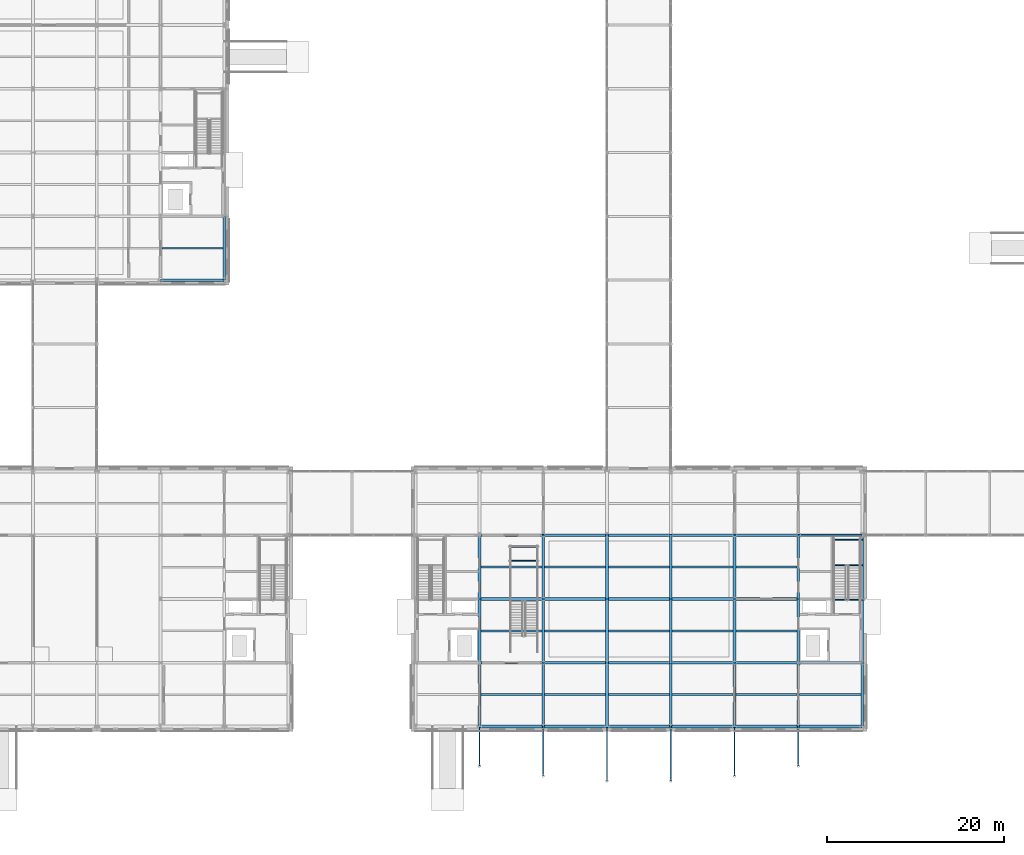
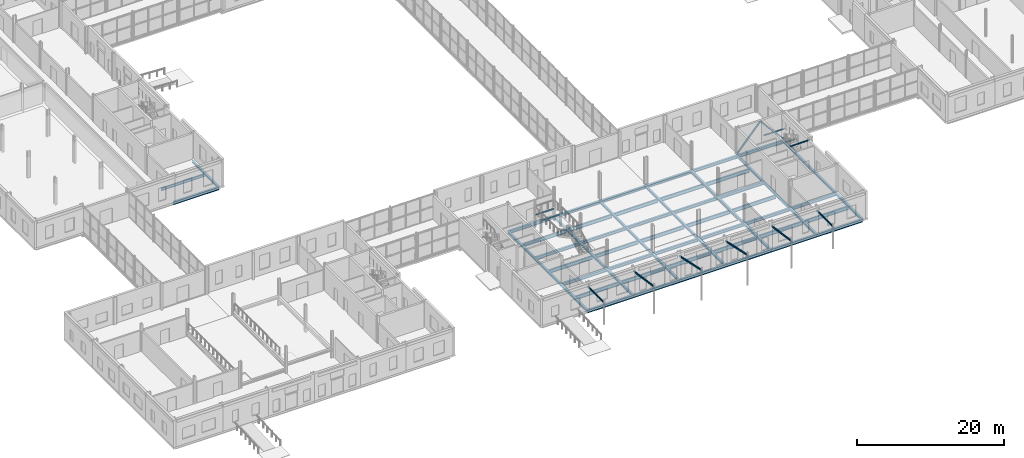
# One storey, part 26 of 92: 74 beams, 2 members.
"""IFC4 building model written with IfcOpenShell, lengths in metres."""

import ifcopenshell
import ifcopenshell.guid

model = None  # the IFC model being written
_history = None  # IfcOwnerHistory: only IFC2X3 demands one
_inside = {}  # id of a spatial element -> (the spatial element, [elements in it])
_under = {}  # id of a project, library or spatial element -> (it, [spatial elements below it])
_declared = {}  # id of a project -> (the project, [libraries it declares])
_typed = {}  # id of a type object -> (the type object, [elements of that type])
_made_of = {}  # id of a material, layer set ... -> (it, [elements and type objects made of it])


def new_model(schema):
    """Start an empty IFC model of exactly this schema.

    Asked for "IFC4X3", IfcOpenShell would pick the latest addendum, in which some entities
    have other attributes; the version numbers below select the first issue.
    IFC2X3 requires an IfcOwnerHistory on every rooted entity: one is made here for all.
    """
    global model, _history
    if schema == "IFC4X3":
        model = ifcopenshell.file(schema_version=(4, 3, 0, 0))
    else:
        model = ifcopenshell.file(schema=schema)
    _inside.clear()
    _under.clear()
    _declared.clear()
    _typed.clear()
    _made_of.clear()
    _history = None
    if model.schema == "IFC2X3":
        org = make("IfcOrganization", Name="unknown")
        user = make(
            "IfcPersonAndOrganization",
            ThePerson=make("IfcPerson", FamilyName="unknown"),
            TheOrganization=org,
        )
        app = make(
            "IfcApplication",
            ApplicationDeveloper=org,
            Version="unknown",
            ApplicationFullName="unknown",
            ApplicationIdentifier="unknown",
        )
        _history = make(
            "IfcOwnerHistory",
            OwningUser=user,
            OwningApplication=app,
            ChangeAction="ADDED",
            CreationDate=0,
        )
    return model


def make(cls, **values):
    """One entity of the class cls with the attributes given. An attribute that is None is left unset."""
    return model.create_entity(
        cls, **{name: value for name, value in values.items() if value is not None}
    )


def rooted(cls, **values):
    """An entity with a GlobalId (a new one), such as an element, a storey or a relation."""
    return make(cls, GlobalId=ifcopenshell.guid.new(), OwnerHistory=_history, **values)


def si_unit(unit_type, name, prefix=None):
    """IfcSIUnit, for example si_unit("LENGTHUNIT", "METRE", prefix="MILLI")."""
    return make("IfcSIUnit", UnitType=unit_type, Prefix=prefix, Name=name)


def assignment(units):
    """IfcUnitAssignment: the units of a project."""
    return None if units is None else make("IfcUnitAssignment", Units=units)


def point(xyz):
    """IfcCartesianPoint."""
    return None if xyz is None else make("IfcCartesianPoint", Coordinates=xyz)


def direction(xyz):
    """IfcDirection."""
    return None if xyz is None else make("IfcDirection", DirectionRatios=xyz)


def frame(location, z_axis=None, x_axis=None):
    """IfcAxis2Placement3D, a coordinate frame: its origin and axes. An axis left out is left unset."""
    return make(
        "IfcAxis2Placement3D",
        Location=point(location),
        Axis=direction(z_axis),
        RefDirection=direction(x_axis),
    )


def frame_2d(location, x_axis=None):
    """IfcAxis2Placement2D, a coordinate frame in the plane: its origin and x axis."""
    return make(
        "IfcAxis2Placement2D", Location=point(location), RefDirection=direction(x_axis)
    )


def origin():
    """The frame at (0, 0, 0) with its axes left unset."""
    return frame((0.0, 0.0, 0.0))


def origin_2d():
    """The frame at (0, 0) in the plane with its x axis left unset."""
    return frame_2d((0.0, 0.0))


def place(relative_to, where):
    """IfcLocalPlacement: puts the frame where relative to a parent placement (None: the world)."""
    return make(
        "IfcLocalPlacement", PlacementRelTo=relative_to, RelativePlacement=where
    )


def context(
    kind, dimensions, precision=None, world=None, true_north=None, identifier=None
):
    """IfcGeometricRepresentationContext, for example the 3D "Model" context."""
    return make(
        "IfcGeometricRepresentationContext",
        ContextIdentifier=identifier,
        ContextType=kind,
        CoordinateSpaceDimension=dimensions,
        Precision=precision,
        WorldCoordinateSystem=world,
        TrueNorth=true_north,
    )


def subcontext(parent, identifier, kind, view, scale=None):
    """IfcGeometricRepresentationSubContext, for example "Body" below "Model"."""
    return make(
        "IfcGeometricRepresentationSubContext",
        ContextIdentifier=identifier,
        ContextType=kind,
        ParentContext=parent,
        TargetScale=scale,
        TargetView=view,
    )


def project(units=None, contexts=None):
    """IfcProject with its units and contexts."""
    return rooted(
        "IfcProject",
        Name="project",
        RepresentationContexts=contexts,
        UnitsInContext=assignment(units),
    )


def spatial(cls, under=None, at=None, **own):
    """A site, building, storey or space (cls), placed at a placement, below another one or the project."""
    s = rooted(cls, ObjectPlacement=at, **own)
    if under is not None:
        _under.setdefault(under.id(), (under, []))[1].append(s)
    return s


def profile(cls, at=None, kind="AREA", **sizes):
    """A parametric profile (cls). Its sizes go by their IFC names, for example OverallWidth=200.0."""
    return make(cls, ProfileType=kind, Position=at, **sizes)


def hollow_rectangle(**sizes):
    """IfcRectangleHollowProfileDef."""
    return profile("IfcRectangleHollowProfileDef", **sizes)


def i_section(**sizes):
    """IfcIShapeProfileDef."""
    return profile("IfcIShapeProfileDef", **sizes)


def extrude(swept, where, along, depth):
    """IfcExtrudedAreaSolid: the profile swept, set in the frame where, extruded along a direction by depth."""
    return make(
        "IfcExtrudedAreaSolid",
        SweptArea=swept,
        Position=where,
        ExtrudedDirection=direction(along),
        Depth=depth,
    )


def shape(context_of_items, identifier, shape_type, items):
    """IfcShapeRepresentation: the items that make up one representation, for example the "Body"."""
    return make(
        "IfcShapeRepresentation",
        ContextOfItems=context_of_items,
        RepresentationIdentifier=identifier,
        RepresentationType=shape_type,
        Items=items,
    )


def material(Name=None, Category=None):
    """IfcMaterial."""
    return make("IfcMaterial", Name=Name, Category=Category)


def material_profile(
    of_material, cross_section, Name=None, Category=None, Priority=None
):
    """IfcMaterialProfile: a cross section and its material."""
    return make(
        "IfcMaterialProfile",
        Name=Name,
        Material=of_material,
        Profile=cross_section,
        Priority=Priority,
        Category=Category,
    )


def profile_set(profiles, Name=None, composite=None):
    """IfcMaterialProfileSet."""
    return make(
        "IfcMaterialProfileSet",
        Name=Name,
        MaterialProfiles=profiles,
        CompositeProfile=composite,
    )


def made_of(thing, what):
    """Note that an element or type object is made of a material, layer set ...; save() writes the relation."""
    if what is not None:
        _made_of.setdefault(what.id(), (what, []))[1].append(thing)
    return thing


def type_object(cls, material=None, **own):
    """A type object (cls), such as IfcWallType, which elements share."""
    return made_of(rooted(cls, **own), material)


def element(
    cls,
    number,
    at=None,
    inside=None,
    cuts=None,
    type_object=None,
    material=None,
    context=None,
    identifier="Body",
    shape_type=None,
    held_by="IfcProductDefinitionShape",
    body=None,
    shapes=None,
    **own,
):
    """One element of the class cls, such as IfcWall. Its Tag is "e" and its number.

    at: its placement. inside: the storey or other place that contains it. cuts: it is an
    opening in that element (IfcRelVoidsElement). A single representation is given by context,
    identifier, shape_type and body (its items); several are given by shapes. held_by: the class
    of the entity that holds the representations. save() writes the other relations.
    """
    e = rooted(cls, Tag="e%d" % number, ObjectPlacement=at, **own)
    if body is not None:
        shapes = [shape(context, identifier, shape_type, body)]
    if shapes is not None:
        e.Representation = make(held_by, Representations=shapes)
    if inside is not None:
        _inside.setdefault(inside.id(), (inside, []))[1].append(e)
    if cuts is not None:
        rooted(
            "IfcRelVoidsElement", RelatingBuildingElement=cuts, RelatedOpeningElement=e
        )
    if type_object is not None:
        _typed.setdefault(type_object.id(), (type_object, []))[1].append(e)
    return made_of(e, material)


def aggregate(whole, parts):
    """IfcRelAggregates: a whole, such as a stair, and the parts it consists of."""
    return rooted("IfcRelAggregates", RelatingObject=whole, RelatedObjects=parts)


def save(model, path):
    """Write the relations noted so far, then the file.

    IfcRelAggregates (storeys below a building ...), IfcRelContainedInSpatialStructure (elements
    in a storey), IfcRelDefinesByType, IfcRelAssociatesMaterial and IfcRelDeclares: one each for
    every whole, place, type object, material and project.
    """
    for whole, parts in _under.values():
        aggregate(whole, parts)
    for where, things in _inside.values():
        rooted(
            "IfcRelContainedInSpatialStructure",
            RelatedElements=things,
            RelatingStructure=where,
        )
    for kind, things in _typed.values():
        rooted("IfcRelDefinesByType", RelatedObjects=things, RelatingType=kind)
    for what, things in _made_of.values():
        rooted("IfcRelAssociatesMaterial", RelatedObjects=things, RelatingMaterial=what)
    for by, libraries in _declared.values():
        rooted("IfcRelDeclares", RelatingContext=by, RelatedDefinitions=libraries)
    model.write(path)


model = new_model("IFC4")

# Units and contexts
model_context = context("Model", 3, precision=1e-05, world=origin(), true_north=direction((0.0, 1.0)))
body_context = subcontext(model_context, "Body", "Model", "MODEL_VIEW")
ifc_project = project(units=[si_unit("LENGTHUNIT", "METRE"), si_unit("AREAUNIT", "SQUARE_METRE"), si_unit("VOLUMEUNIT", "CUBIC_METRE"), si_unit("PLANEANGLEUNIT", "RADIAN"), si_unit("MASSUNIT", "GRAM", prefix="KILO")], contexts=[model_context])

# Site, building, storey
site_placement = place(None, origin())
site = spatial("IfcSite", under=ifc_project, at=site_placement, CompositionType="ELEMENT")
building_placement = place(site_placement, origin())
building = spatial("IfcBuilding", under=site, at=building_placement, Name="Zlatovets Crest Museum", CompositionType="ELEMENT")
storey_placement = place(building_placement, origin())
storey = spatial("IfcBuildingStorey", under=building, at=storey_placement, Name="L00", CompositionType="ELEMENT", Elevation=0.0)

# Beams
ifc_material = material(Name="Structural steel S355J2", Category="steel")
ifc_material_profile_1 = material_profile(ifc_material, i_section(OverallWidth=0.300048828125, OverallDepth=0.489990234375, WebThickness=0.011962890625, FlangeThickness=0.02294921875, FilletRadius=0.027099609375, at=origin_2d()), Name="HEA 500")
ifc_profile_set_1 = profile_set([ifc_material_profile_1], Name="Structural steel S355J2")
beam_type_1 = type_object("IfcBeamType", Name="Beam_B-01", PredefinedType="BEAM", material=ifc_profile_set_1)
for number, where, z_axis, x_axis, name in (
    (1, (64.800048828125, 0.0, -0.4951171875), (1.0, 0.0, 0.0), (0.0, 1.0, 0.0), "V2 L00 Primary Girder B-01"),
    (2, (72.0, 0.0, -0.4951171875), (1.0, 0.0, 0.0), (0.0, 1.0, 0.0), "V2 L00 Primary Girder B-01"),
    (3, (79.199951171875, 0.0, -0.4951171875), (1.0, 0.0, 0.0), (0.0, 1.0, 0.0), "V2 L00 Primary Girder B-01"),
):
    element("IfcBeam", number, at=place(storey_placement, frame(where, z_axis=z_axis, x_axis=x_axis)), inside=storey, type_object=beam_type_1, Name=name, PredefinedType="BEAM", context=body_context, shape_type="SweptSolid", body=[
        extrude(i_section(OverallWidth=0.300048828125, OverallDepth=0.489990234375, WebThickness=0.011962890625, FlangeThickness=0.02294921875, FilletRadius=0.027099609375, at=origin_2d()), origin(), (0.0, 0.0, 1.0), 7.199951171875),
    ])
beam_1_placement = place(storey_placement, frame((86.39990234375, 0.0, -0.4951171875), z_axis=(1.0, 0.0, 0.0), x_axis=(0.0, 1.0, 0.0)))
element("IfcBeam", 4, at=beam_1_placement, inside=storey, type_object=beam_type_1, Name="V2 L00 Primary Girder B-01", PredefinedType="BEAM", context=body_context, shape_type="SweptSolid", body=[
    extrude(i_section(OverallWidth=0.300048828125, OverallDepth=0.489990234375, WebThickness=0.011962890625, FlangeThickness=0.02294921875, FilletRadius=0.027099609375, at=origin_2d()), origin(), (0.0, 0.0, 1.0), 7.2001953125),
])
for number, where, z_axis, x_axis, name in (
    (5, (93.60009765625, 0.0, -0.4951171875), (1.0, 0.0, 0.0), (0.0, 1.0, 0.0), "V2 L00 Primary Girder B-01"),
    (6, (100.800048828125, 0.0, -0.4951171875), (1.0, 0.0, 0.0), (0.0, 1.0, 0.0), "V2 L00 Primary Girder B-01"),
    (7, (64.800048828125, 7.199951171875, -0.4951171875), (1.0, 0.0, 0.0), (0.0, 1.0, 0.0), "V2 L00 Primary Girder B-01"),
    (8, (72.0, 7.199951171875, -0.4951171875), (1.0, 0.0, 0.0), (0.0, 1.0, 0.0), "V2 L00 Primary Girder B-01"),
    (9, (79.199951171875, 7.199951171875, -0.4951171875), (1.0, 0.0, 0.0), (0.0, 1.0, 0.0), "V2 L00 Primary Girder B-01"),
):
    element("IfcBeam", number, at=place(storey_placement, frame(where, z_axis=z_axis, x_axis=x_axis)), inside=storey, type_object=beam_type_1, Name=name, PredefinedType="BEAM", context=body_context, shape_type="SweptSolid", body=[
        extrude(i_section(OverallWidth=0.300048828125, OverallDepth=0.489990234375, WebThickness=0.011962890625, FlangeThickness=0.02294921875, FilletRadius=0.027099609375, at=origin_2d()), origin(), (0.0, 0.0, 1.0), 7.199951171875),
    ])
beam_2_placement = place(storey_placement, frame((86.39990234375, 7.199951171875, -0.4951171875), z_axis=(1.0, 0.0, 0.0), x_axis=(0.0, 1.0, 0.0)))
element("IfcBeam", 10, at=beam_2_placement, inside=storey, type_object=beam_type_1, Name="V2 L00 Primary Girder B-01", PredefinedType="BEAM", context=body_context, shape_type="SweptSolid", body=[
    extrude(i_section(OverallWidth=0.300048828125, OverallDepth=0.489990234375, WebThickness=0.011962890625, FlangeThickness=0.02294921875, FilletRadius=0.027099609375, at=origin_2d()), origin(), (0.0, 0.0, 1.0), 7.2001953125),
])
for number, where, z_axis, x_axis, name in (
    (11, (93.60009765625, 7.199951171875, -0.4951171875), (1.0, 0.0, 0.0), (0.0, 1.0, 0.0), "V2 L00 Primary Girder B-01"),
    (12, (100.800048828125, 7.199951171875, -0.4951171875), (1.0, 0.0, 0.0), (0.0, 1.0, 0.0), "V2 L00 Primary Girder B-01"),
    (13, (64.800048828125, 14.39990234375, -0.4951171875), (1.0, 0.0, 0.0), (0.0, 1.0, 0.0), "V2 L00 Primary Girder B-01"),
    (14, (72.0, 14.39990234375, -0.4951171875), (1.0, 0.0, 0.0), (0.0, 1.0, 0.0), "V2 L00 Primary Girder B-01"),
    (15, (79.199951171875, 14.39990234375, -0.4951171875), (1.0, 0.0, 0.0), (0.0, 1.0, 0.0), "V2 L00 Primary Girder B-01"),
):
    element("IfcBeam", number, at=place(storey_placement, frame(where, z_axis=z_axis, x_axis=x_axis)), inside=storey, type_object=beam_type_1, Name=name, PredefinedType="BEAM", context=body_context, shape_type="SweptSolid", body=[
        extrude(i_section(OverallWidth=0.300048828125, OverallDepth=0.489990234375, WebThickness=0.011962890625, FlangeThickness=0.02294921875, FilletRadius=0.027099609375, at=origin_2d()), origin(), (0.0, 0.0, 1.0), 7.199951171875),
    ])
beam_3_placement = place(storey_placement, frame((86.39990234375, 14.39990234375, -0.4951171875), z_axis=(1.0, 0.0, 0.0), x_axis=(0.0, 1.0, 0.0)))
element("IfcBeam", 16, at=beam_3_placement, inside=storey, type_object=beam_type_1, Name="V2 L00 Primary Girder B-01", PredefinedType="BEAM", context=body_context, shape_type="SweptSolid", body=[
    extrude(i_section(OverallWidth=0.300048828125, OverallDepth=0.489990234375, WebThickness=0.011962890625, FlangeThickness=0.02294921875, FilletRadius=0.027099609375, at=origin_2d()), origin(), (0.0, 0.0, 1.0), 7.2001953125),
])
for number, where, z_axis, x_axis, name in (
    (17, (93.60009765625, 14.39990234375, -0.4951171875), (1.0, 0.0, 0.0), (0.0, 1.0, 0.0), "V2 L00 Primary Girder B-01"),
    (18, (64.800048828125, 21.60009765625, -0.4951171875), (1.0, 0.0, 0.0), (0.0, 1.0, 0.0), "V2 L00 Primary Girder B-01"),
    (19, (72.0, 21.60009765625, -0.4951171875), (1.0, 0.0, 0.0), (0.0, 1.0, 0.0), "V2 L00 Primary Girder B-01"),
    (20, (79.199951171875, 21.60009765625, -0.4951171875), (1.0, 0.0, 0.0), (0.0, 1.0, 0.0), "V2 L00 Primary Girder B-01"),
):
    element("IfcBeam", number, at=place(storey_placement, frame(where, z_axis=z_axis, x_axis=x_axis)), inside=storey, type_object=beam_type_1, Name=name, PredefinedType="BEAM", context=body_context, shape_type="SweptSolid", body=[
        extrude(i_section(OverallWidth=0.300048828125, OverallDepth=0.489990234375, WebThickness=0.011962890625, FlangeThickness=0.02294921875, FilletRadius=0.027099609375, at=origin_2d()), origin(), (0.0, 0.0, 1.0), 7.199951171875),
    ])
beam_4_placement = place(storey_placement, frame((86.39990234375, 21.60009765625, -0.4951171875), z_axis=(1.0, 0.0, 0.0), x_axis=(0.0, 1.0, 0.0)))
element("IfcBeam", 21, at=beam_4_placement, inside=storey, type_object=beam_type_1, Name="V2 L00 Primary Girder B-01", PredefinedType="BEAM", context=body_context, shape_type="SweptSolid", body=[
    extrude(i_section(OverallWidth=0.300048828125, OverallDepth=0.489990234375, WebThickness=0.011962890625, FlangeThickness=0.02294921875, FilletRadius=0.027099609375, at=origin_2d()), origin(), (0.0, 0.0, 1.0), 7.2001953125),
])
for number, where, z_axis, x_axis, name in (
    (22, (93.60009765625, 21.60009765625, -0.4951171875), (1.0, 0.0, 0.0), (0.0, 1.0, 0.0), "V2 L00 Primary Girder B-01"),
    (23, (100.800048828125, 21.60009765625, -0.4951171875), (1.0, 0.0, 0.0), (0.0, 1.0, 0.0), "V2 L00 Primary Girder B-01"),
    (24, (28.800048828125, 50.39990234375, -0.4951171875), (1.0, 0.0, 0.0), (0.0, 1.0, 0.0), "V4 L00 Primary Girder B-01"),
):
    element("IfcBeam", number, at=place(storey_placement, frame(where, z_axis=z_axis, x_axis=x_axis)), inside=storey, type_object=beam_type_1, Name=name, PredefinedType="BEAM", context=body_context, shape_type="SweptSolid", body=[
        extrude(i_section(OverallWidth=0.300048828125, OverallDepth=0.489990234375, WebThickness=0.011962890625, FlangeThickness=0.02294921875, FilletRadius=0.027099609375, at=origin_2d()), origin(), (0.0, 0.0, 1.0), 7.199951171875),
    ])
ifc_material_profile_2 = material_profile(ifc_material, i_section(OverallWidth=0.300048828125, OverallDepth=0.35009765625, WebThickness=0.010009765625, FlangeThickness=0.017578125, FilletRadius=0.027099609375, at=origin_2d()), Name="HEA 360")
ifc_profile_set_2 = profile_set([ifc_material_profile_2], Name="Structural steel S355J2")
beam_type_2 = type_object("IfcBeamType", Name="Beam_B-03", PredefinedType="BEAM", material=ifc_profile_set_2)
for number, where, z_axis, x_axis, name in (
    (25, (64.800048828125, 0.0, -0.425048828125), (0.0, 1.0, 0.0), (-1.0, 0.0, 0.0), "V2 L00 Grid Beam B-03"),
    (26, (64.800048828125, 7.199951171875, -0.425048828125), (0.0, 1.0, 0.0), (-1.0, 0.0, 0.0), "V2 L00 Grid Beam B-03"),
):
    element("IfcBeam", number, at=place(storey_placement, frame(where, z_axis=z_axis, x_axis=x_axis)), inside=storey, type_object=beam_type_2, Name=name, PredefinedType="BEAM", context=body_context, shape_type="SweptSolid", body=[
        extrude(i_section(OverallWidth=0.300048828125, OverallDepth=0.35009765625, WebThickness=0.010009765625, FlangeThickness=0.017578125, FilletRadius=0.027099609375, at=origin_2d()), origin(), (0.0, 0.0, 1.0), 7.199951171875),
    ])
beam_5_placement = place(storey_placement, frame((64.800048828125, 14.39990234375, -0.425048828125), z_axis=(0.0, 1.0, 0.0), x_axis=(-1.0, 0.0, 0.0)))
element("IfcBeam", 27, at=beam_5_placement, inside=storey, type_object=beam_type_2, Name="V2 L00 Grid Beam B-03", PredefinedType="BEAM", context=body_context, shape_type="SweptSolid", body=[
    extrude(i_section(OverallWidth=0.300048828125, OverallDepth=0.35009765625, WebThickness=0.010009765625, FlangeThickness=0.017578125, FilletRadius=0.027099609375, at=origin_2d()), origin(), (0.0, 0.0, 1.0), 7.2001953125),
])
for number, where, z_axis, x_axis, name in (
    (28, (72.0, 0.0, -0.425048828125), (0.0, 1.0, 0.0), (-1.0, 0.0, 0.0), "V2 L00 Grid Beam B-03"),
    (29, (72.0, 7.199951171875, -0.425048828125), (0.0, 1.0, 0.0), (-1.0, 0.0, 0.0), "V2 L00 Grid Beam B-03"),
):
    element("IfcBeam", number, at=place(storey_placement, frame(where, z_axis=z_axis, x_axis=x_axis)), inside=storey, type_object=beam_type_2, Name=name, PredefinedType="BEAM", context=body_context, shape_type="SweptSolid", body=[
        extrude(i_section(OverallWidth=0.300048828125, OverallDepth=0.35009765625, WebThickness=0.010009765625, FlangeThickness=0.017578125, FilletRadius=0.027099609375, at=origin_2d()), origin(), (0.0, 0.0, 1.0), 7.199951171875),
    ])
beam_6_placement = place(storey_placement, frame((72.0, 14.39990234375, -0.425048828125), z_axis=(0.0, 1.0, 0.0), x_axis=(-1.0, 0.0, 0.0)))
element("IfcBeam", 30, at=beam_6_placement, inside=storey, type_object=beam_type_2, Name="V2 L00 Grid Beam B-03", PredefinedType="BEAM", context=body_context, shape_type="SweptSolid", body=[
    extrude(i_section(OverallWidth=0.300048828125, OverallDepth=0.35009765625, WebThickness=0.010009765625, FlangeThickness=0.017578125, FilletRadius=0.027099609375, at=origin_2d()), origin(), (0.0, 0.0, 1.0), 7.2001953125),
])
for number, where, z_axis, x_axis, name in (
    (31, (79.199951171875, 0.0, -0.425048828125), (0.0, 1.0, 0.0), (-1.0, 0.0, 0.0), "V2 L00 Grid Beam B-03"),
    (32, (79.199951171875, 7.199951171875, -0.425048828125), (0.0, 1.0, 0.0), (-1.0, 0.0, 0.0), "V2 L00 Grid Beam B-03"),
):
    element("IfcBeam", number, at=place(storey_placement, frame(where, z_axis=z_axis, x_axis=x_axis)), inside=storey, type_object=beam_type_2, Name=name, PredefinedType="BEAM", context=body_context, shape_type="SweptSolid", body=[
        extrude(i_section(OverallWidth=0.300048828125, OverallDepth=0.35009765625, WebThickness=0.010009765625, FlangeThickness=0.017578125, FilletRadius=0.027099609375, at=origin_2d()), origin(), (0.0, 0.0, 1.0), 7.199951171875),
    ])
beam_7_placement = place(storey_placement, frame((79.199951171875, 14.39990234375, -0.425048828125), z_axis=(0.0, 1.0, 0.0), x_axis=(-1.0, 0.0, 0.0)))
element("IfcBeam", 33, at=beam_7_placement, inside=storey, type_object=beam_type_2, Name="V2 L00 Grid Beam B-03", PredefinedType="BEAM", context=body_context, shape_type="SweptSolid", body=[
    extrude(i_section(OverallWidth=0.300048828125, OverallDepth=0.35009765625, WebThickness=0.010009765625, FlangeThickness=0.017578125, FilletRadius=0.027099609375, at=origin_2d()), origin(), (0.0, 0.0, 1.0), 7.2001953125),
])
for number, where, z_axis, x_axis, name in (
    (34, (86.39990234375, 0.0, -0.425048828125), (0.0, 1.0, 0.0), (-1.0, 0.0, 0.0), "V2 L00 Grid Beam B-03"),
    (35, (86.39990234375, 7.199951171875, -0.425048828125), (0.0, 1.0, 0.0), (-1.0, 0.0, 0.0), "V2 L00 Grid Beam B-03"),
):
    element("IfcBeam", number, at=place(storey_placement, frame(where, z_axis=z_axis, x_axis=x_axis)), inside=storey, type_object=beam_type_2, Name=name, PredefinedType="BEAM", context=body_context, shape_type="SweptSolid", body=[
        extrude(i_section(OverallWidth=0.300048828125, OverallDepth=0.35009765625, WebThickness=0.010009765625, FlangeThickness=0.017578125, FilletRadius=0.027099609375, at=origin_2d()), origin(), (0.0, 0.0, 1.0), 7.199951171875),
    ])
beam_8_placement = place(storey_placement, frame((86.39990234375, 14.39990234375, -0.425048828125), z_axis=(0.0, 1.0, 0.0), x_axis=(-1.0, 0.0, 0.0)))
element("IfcBeam", 36, at=beam_8_placement, inside=storey, type_object=beam_type_2, Name="V2 L00 Grid Beam B-03", PredefinedType="BEAM", context=body_context, shape_type="SweptSolid", body=[
    extrude(i_section(OverallWidth=0.300048828125, OverallDepth=0.35009765625, WebThickness=0.010009765625, FlangeThickness=0.017578125, FilletRadius=0.027099609375, at=origin_2d()), origin(), (0.0, 0.0, 1.0), 7.2001953125),
])
for number, where, z_axis, x_axis, name in (
    (37, (93.60009765625, 0.0, -0.425048828125), (0.0, 1.0, 0.0), (-1.0, 0.0, 0.0), "V2 L00 Grid Beam B-03"),
    (38, (93.60009765625, 7.199951171875, -0.425048828125), (0.0, 1.0, 0.0), (-1.0, 0.0, 0.0), "V2 L00 Grid Beam B-03"),
):
    element("IfcBeam", number, at=place(storey_placement, frame(where, z_axis=z_axis, x_axis=x_axis)), inside=storey, type_object=beam_type_2, Name=name, PredefinedType="BEAM", context=body_context, shape_type="SweptSolid", body=[
        extrude(i_section(OverallWidth=0.300048828125, OverallDepth=0.35009765625, WebThickness=0.010009765625, FlangeThickness=0.017578125, FilletRadius=0.027099609375, at=origin_2d()), origin(), (0.0, 0.0, 1.0), 7.199951171875),
    ])
beam_9_placement = place(storey_placement, frame((93.60009765625, 14.39990234375, -0.425048828125), z_axis=(0.0, 1.0, 0.0), x_axis=(-1.0, 0.0, 0.0)))
element("IfcBeam", 39, at=beam_9_placement, inside=storey, type_object=beam_type_2, Name="V2 L00 Grid Beam B-03", PredefinedType="BEAM", context=body_context, shape_type="SweptSolid", body=[
    extrude(i_section(OverallWidth=0.300048828125, OverallDepth=0.35009765625, WebThickness=0.010009765625, FlangeThickness=0.017578125, FilletRadius=0.027099609375, at=origin_2d()), origin(), (0.0, 0.0, 1.0), 7.2001953125),
])
for number, where, z_axis, x_axis, name in (
    (40, (100.800048828125, 0.0, -0.425048828125), (0.0, 1.0, 0.0), (-1.0, 0.0, 0.0), "V2 L00 Grid Beam B-03"),
    (41, (100.800048828125, 7.199951171875, -0.425048828125), (0.0, 1.0, 0.0), (-1.0, 0.0, 0.0), "V2 L00 Grid Beam B-03"),
):
    element("IfcBeam", number, at=place(storey_placement, frame(where, z_axis=z_axis, x_axis=x_axis)), inside=storey, type_object=beam_type_2, Name=name, PredefinedType="BEAM", context=body_context, shape_type="SweptSolid", body=[
        extrude(i_section(OverallWidth=0.300048828125, OverallDepth=0.35009765625, WebThickness=0.010009765625, FlangeThickness=0.017578125, FilletRadius=0.027099609375, at=origin_2d()), origin(), (0.0, 0.0, 1.0), 7.199951171875),
    ])
beam_10_placement = place(storey_placement, frame((100.800048828125, 14.39990234375, -0.425048828125), z_axis=(0.0, 1.0, 0.0), x_axis=(-1.0, 0.0, 0.0)))
element("IfcBeam", 42, at=beam_10_placement, inside=storey, type_object=beam_type_2, Name="V2 L00 Grid Beam B-03", PredefinedType="BEAM", context=body_context, shape_type="SweptSolid", body=[
    extrude(i_section(OverallWidth=0.300048828125, OverallDepth=0.35009765625, WebThickness=0.010009765625, FlangeThickness=0.017578125, FilletRadius=0.027099609375, at=origin_2d()), origin(), (0.0, 0.0, 1.0), 7.2001953125),
])
for number, where, z_axis, x_axis, name in (
    (43, (108.0, 0.0, -0.425048828125), (0.0, 1.0, 0.0), (-1.0, 0.0, 0.0), "V2 L00 Grid Beam B-03"),
    (44, (108.0, 7.199951171875, -0.425048828125), (0.0, 1.0, 0.0), (-1.0, 0.0, 0.0), "V2 L00 Grid Beam B-03"),
):
    element("IfcBeam", number, at=place(storey_placement, frame(where, z_axis=z_axis, x_axis=x_axis)), inside=storey, type_object=beam_type_2, Name=name, PredefinedType="BEAM", context=body_context, shape_type="SweptSolid", body=[
        extrude(i_section(OverallWidth=0.300048828125, OverallDepth=0.35009765625, WebThickness=0.010009765625, FlangeThickness=0.017578125, FilletRadius=0.027099609375, at=origin_2d()), origin(), (0.0, 0.0, 1.0), 7.199951171875),
    ])
for number, where, z_axis, x_axis, name in (
    (45, (108.0, 14.39990234375, -0.425048828125), (0.0, 1.0, 0.0), (-1.0, 0.0, 0.0), "V2 L00 Grid Beam B-03"),
    (46, (36.0, 50.39990234375, -0.425048828125), (0.0, 1.0, 0.0), (-1.0, 0.0, 0.0), "V4 L00 Grid Beam B-03"),
):
    element("IfcBeam", number, at=place(storey_placement, frame(where, z_axis=z_axis, x_axis=x_axis)), inside=storey, type_object=beam_type_2, Name=name, PredefinedType="BEAM", context=body_context, shape_type="SweptSolid", body=[
        extrude(i_section(OverallWidth=0.300048828125, OverallDepth=0.35009765625, WebThickness=0.010009765625, FlangeThickness=0.017578125, FilletRadius=0.027099609375, at=origin_2d()), origin(), (0.0, 0.0, 1.0), 7.2001953125),
    ])
ifc_material_profile_3 = material_profile(ifc_material, i_section(OverallWidth=0.135009765625, OverallDepth=0.27001953125, WebThickness=0.006591796875, FlangeThickness=0.01025390625, FilletRadius=0.014892578125, at=origin_2d()), Name="IPE 270")
ifc_profile_set_3 = profile_set([ifc_material_profile_3], Name="Structural steel S355J2")
beam_type_3 = type_object("IfcBeamType", Name="Beam_J-03", PredefinedType="JOIST", material=ifc_profile_set_3)
beam_11_placement = place(storey_placement, frame((64.800048828125, 0.0, 3.64990234375), z_axis=(0.0, -1.0, 0.0), x_axis=(1.0, 0.0, 0.0)))
element("IfcBeam", 47, at=beam_11_placement, inside=storey, type_object=beam_type_3, Name="Entrance Marquee Tie Outrigger", PredefinedType="JOIST", context=body_context, shape_type="SweptSolid", body=[
    extrude(i_section(OverallWidth=0.135009765625, OverallDepth=0.27001953125, WebThickness=0.006591796875, FlangeThickness=0.01025390625, FilletRadius=0.014892578125, at=origin_2d()), origin(), (0.0, 0.0, 1.0), 4.448486328125),
])
beam_12_placement = place(storey_placement, frame((72.0, 0.0, 3.64990234375), z_axis=(0.0, -0.989315329168, 0.145791561732), x_axis=(1.0, 0.0, 0.0)))
element("IfcBeam", 48, at=beam_12_placement, inside=storey, type_object=beam_type_3, Name="Entrance Marquee Tie Outrigger", PredefinedType="JOIST", context=body_context, shape_type="SweptSolid", body=[
    extrude(i_section(OverallWidth=0.135009765625, OverallDepth=0.27001953125, WebThickness=0.006591796875, FlangeThickness=0.01025390625, FilletRadius=0.014892578125, at=origin_2d()), origin(), (0.0, 0.0, 1.0), 5.64501953125),
])
for number, where, z_axis, x_axis, name in (
    (49, (79.199951171875, 0.0, 3.64990234375), (0.0, -0.977228302316, 0.212190586863), (1.0, 0.0, 0.0), "Entrance Marquee Tie Outrigger"),
    (50, (86.39990234375, 0.0, 3.64990234375), (0.0, -0.977228302316, 0.212190586863), (1.0, 0.0, 0.0), "Entrance Marquee Tie Outrigger"),
):
    element("IfcBeam", number, at=place(storey_placement, frame(where, z_axis=z_axis, x_axis=x_axis)), inside=storey, type_object=beam_type_3, Name=name, PredefinedType="JOIST", context=body_context, shape_type="SweptSolid", body=[
        extrude(i_section(OverallWidth=0.135009765625, OverallDepth=0.27001953125, WebThickness=0.006591796875, FlangeThickness=0.01025390625, FilletRadius=0.014892578125, at=origin_2d()), origin(), (0.0, 0.0, 1.0), 6.275146484375),
    ])
beam_13_placement = place(storey_placement, frame((93.60009765625, 0.0, 3.64990234375), z_axis=(0.0, -0.989315329168, 0.145791561732), x_axis=(1.0, 0.0, 0.0)))
element("IfcBeam", 51, at=beam_13_placement, inside=storey, type_object=beam_type_3, Name="Entrance Marquee Tie Outrigger", PredefinedType="JOIST", context=body_context, shape_type="SweptSolid", body=[
    extrude(i_section(OverallWidth=0.135009765625, OverallDepth=0.27001953125, WebThickness=0.006591796875, FlangeThickness=0.01025390625, FilletRadius=0.014892578125, at=origin_2d()), origin(), (0.0, 0.0, 1.0), 5.64501953125),
])
beam_14_placement = place(storey_placement, frame((100.800048828125, 0.0, 3.64990234375), z_axis=(0.0, -1.0, 0.0), x_axis=(1.0, 0.0, 0.0)))
element("IfcBeam", 52, at=beam_14_placement, inside=storey, type_object=beam_type_3, Name="Entrance Marquee Tie Outrigger", PredefinedType="JOIST", context=body_context, shape_type="SweptSolid", body=[
    extrude(i_section(OverallWidth=0.135009765625, OverallDepth=0.27001953125, WebThickness=0.006591796875, FlangeThickness=0.01025390625, FilletRadius=0.014892578125, at=origin_2d()), origin(), (0.0, 0.0, 1.0), 4.448486328125),
])
ifc_material_profile_4 = material_profile(ifc_material, i_section(OverallWidth=0.18994140625, OverallDepth=0.449951171875, WebThickness=0.009521484375, FlangeThickness=0.0146484375, FilletRadius=0.02099609375, at=origin_2d()), Name="IPE 450")
ifc_profile_set_4 = profile_set([ifc_material_profile_4], Name="Structural steel S355J2")
beam_type_4 = type_object("IfcBeamType", Name="Beam_J-05", PredefinedType="JOIST", material=ifc_profile_set_4)
beam_15_placement = place(storey_placement, frame((28.949951171875, 54.0, -0.47509765625), z_axis=(1.0, 0.0, 0.0), x_axis=(0.0, 1.0, 0.0)))
element("IfcBeam", 53, at=beam_15_placement, inside=storey, type_object=beam_type_4, Name="V4 L00 Composite Joist J-05", PredefinedType="JOIST", context=body_context, shape_type="SweptSolid", body=[
    extrude(i_section(OverallWidth=0.18994140625, OverallDepth=0.449951171875, WebThickness=0.009521484375, FlangeThickness=0.0146484375, FilletRadius=0.02099609375, at=origin_2d()), origin(), (0.0, 0.0, 1.0), 6.900146484375),
])
ifc_material_profile_5 = material_profile(ifc_material, i_section(OverallWidth=0.219970703125, OverallDepth=0.60009765625, WebThickness=0.011962890625, FlangeThickness=0.01904296875, FilletRadius=0.02392578125, at=origin_2d()), Name="IPE 600")
ifc_profile_set_5 = profile_set([ifc_material_profile_5], Name="Structural steel S355J2")
beam_type_5 = type_object("IfcBeamType", Name="Beam_J-08", PredefinedType="BEAM", material=ifc_profile_set_5)
for number, where, z_axis, x_axis, name in (
    (54, (64.949951171875, 3.60009765625, -0.550048828125), (1.0, 0.0, 0.0), (0.0, 1.0, 0.0), "V2 L00 Composite Joist J-08"),
    (55, (64.949951171875, 10.800048828125, -0.550048828125), (1.0, 0.0, 0.0), (0.0, 1.0, 0.0), "V2 L00 Composite Joist J-08"),
    (56, (64.949951171875, 18.0, -0.550048828125), (1.0, 0.0, 0.0), (0.0, 1.0, 0.0), "V2 L00 Composite Joist J-08"),
    (57, (72.14990234375, 3.60009765625, -0.550048828125), (1.0, 0.0, 0.0), (0.0, 1.0, 0.0), "V2 L00 Composite Joist J-08"),
    (58, (72.14990234375, 10.800048828125, -0.550048828125), (1.0, 0.0, 0.0), (0.0, 1.0, 0.0), "V2 L00 Composite Joist J-08"),
    (59, (72.14990234375, 18.0, -0.550048828125), (1.0, 0.0, 0.0), (0.0, 1.0, 0.0), "V2 L00 Composite Joist J-08"),
):
    element("IfcBeam", number, at=place(storey_placement, frame(where, z_axis=z_axis, x_axis=x_axis)), inside=storey, type_object=beam_type_5, Name=name, PredefinedType="BEAM", context=body_context, shape_type="SweptSolid", body=[
        extrude(i_section(OverallWidth=0.219970703125, OverallDepth=0.60009765625, WebThickness=0.011962890625, FlangeThickness=0.01904296875, FilletRadius=0.02392578125, at=origin_2d()), origin(), (0.0, 0.0, 1.0), 6.900146484375),
    ])
for number, where, z_axis, x_axis, name in (
    (60, (79.35009765625, 3.60009765625, -0.550048828125), (1.0, 0.0, 0.0), (0.0, 1.0, 0.0), "V2 L00 Composite Joist J-08"),
    (61, (79.35009765625, 10.800048828125, -0.550048828125), (1.0, 0.0, 0.0), (0.0, 1.0, 0.0), "V2 L00 Composite Joist J-08"),
    (62, (79.35009765625, 18.0, -0.550048828125), (1.0, 0.0, 0.0), (0.0, 1.0, 0.0), "V2 L00 Composite Joist J-08"),
    (63, (86.550048828125, 3.60009765625, -0.550048828125), (1.0, 0.0, 0.0), (0.0, 1.0, 0.0), "V2 L00 Composite Joist J-08"),
    (64, (86.550048828125, 10.800048828125, -0.550048828125), (1.0, 0.0, 0.0), (0.0, 1.0, 0.0), "V2 L00 Composite Joist J-08"),
    (65, (86.550048828125, 18.0, -0.550048828125), (1.0, 0.0, 0.0), (0.0, 1.0, 0.0), "V2 L00 Composite Joist J-08"),
    (66, (93.75, 3.60009765625, -0.550048828125), (1.0, 0.0, 0.0), (0.0, 1.0, 0.0), "V2 L00 Composite Joist J-08"),
    (67, (93.75, 10.800048828125, -0.550048828125), (1.0, 0.0, 0.0), (0.0, 1.0, 0.0), "V2 L00 Composite Joist J-08"),
    (68, (93.75, 18.0, -0.550048828125), (1.0, 0.0, 0.0), (0.0, 1.0, 0.0), "V2 L00 Composite Joist J-08"),
):
    element("IfcBeam", number, at=place(storey_placement, frame(where, z_axis=z_axis, x_axis=x_axis)), inside=storey, type_object=beam_type_5, Name=name, PredefinedType="BEAM", context=body_context, shape_type="SweptSolid", body=[
        extrude(i_section(OverallWidth=0.219970703125, OverallDepth=0.60009765625, WebThickness=0.011962890625, FlangeThickness=0.01904296875, FilletRadius=0.02392578125, at=origin_2d()), origin(), (0.0, 0.0, 1.0), 6.89990234375),
    ])
beam_16_placement = place(storey_placement, frame((100.949951171875, 3.60009765625, -0.550048828125), z_axis=(1.0, 0.0, 0.0), x_axis=(0.0, 1.0, 0.0)))
element("IfcBeam", 69, at=beam_16_placement, inside=storey, type_object=beam_type_5, Name="V2 L00 Composite Joist J-08", PredefinedType="BEAM", context=body_context, shape_type="SweptSolid", body=[
    extrude(i_section(OverallWidth=0.219970703125, OverallDepth=0.60009765625, WebThickness=0.011962890625, FlangeThickness=0.01904296875, FilletRadius=0.02392578125, at=origin_2d()), origin(), (0.0, 0.0, 1.0), 6.900146484375),
])
ifc_material_profile_6 = material_profile(ifc_material, i_section(OverallWidth=0.10009765625, OverallDepth=0.199951171875, WebThickness=0.005615234375, FlangeThickness=0.008544921875, FilletRadius=0.011962890625, at=origin_2d()), Name="IPE 200")
ifc_profile_set_6 = profile_set([ifc_material_profile_6], Name="Structural steel S355J2")
beam_type_6 = type_object("IfcBeamType", Name="Beam_PR-02", PredefinedType="LINTEL", material=ifc_profile_set_6)
for number, where, z_axis, x_axis, name in (
    (70, (104.64990234375, 14.300048828125, 4.159912109375), (1.0, 0.0, 0.0), (0.0, 1.0, 0.0), "Core C8 L00 Stair Well Header Beam"),
    (71, (104.64990234375, 18.199951171875, 1.949951171875), (1.0, 0.0, 0.0), (0.0, 1.0, 0.0), "Core C8 L00 Half-Landing Support Beam"),
    (72, (104.64990234375, 21.080078125, 1.949951171875), (1.0, 0.0, 0.0), (0.0, 1.0, 0.0), "Core C8 L00 Half-Landing Support Beam"),
):
    element("IfcBeam", number, at=place(storey_placement, frame(where, z_axis=z_axis, x_axis=x_axis)), inside=storey, type_object=beam_type_6, Name=name, PredefinedType="LINTEL", context=body_context, shape_type="SweptSolid", body=[
        extrude(i_section(OverallWidth=0.10009765625, OverallDepth=0.199951171875, WebThickness=0.005615234375, FlangeThickness=0.008544921875, FilletRadius=0.011962890625, at=origin_2d()), origin(), (0.0, 0.0, 1.0), 3.35009765625),
    ])
for number, where, z_axis, x_axis, name in (
    (73, (68.25, 18.699951171875, 1.949951171875), (1.0, 0.0, 0.0), (0.0, 1.0, 0.0), "Atrium Stair L00 Landing Beam"),
    (74, (68.25, 20.300048828125, 1.949951171875), (1.0, 0.0, 0.0), (0.0, 1.0, 0.0), "Atrium Stair L00 Landing Beam"),
):
    element("IfcBeam", number, at=place(storey_placement, frame(where, z_axis=z_axis, x_axis=x_axis)), inside=storey, type_object=beam_type_6, Name=name, PredefinedType="LINTEL", context=body_context, shape_type="SweptSolid", body=[
        extrude(i_section(OverallWidth=0.10009765625, OverallDepth=0.199951171875, WebThickness=0.005615234375, FlangeThickness=0.008544921875, FilletRadius=0.011962890625, at=origin_2d()), origin(), (0.0, 0.0, 1.0), 3.10009765625),
    ])

# Members
ifc_material_profile_7 = material_profile(ifc_material, hollow_rectangle(XDim=0.219970703125, YDim=0.219970703125, WallThickness=0.012451171875, InnerFilletRadius=0.012451171875, OuterFilletRadius=0.02490234375, at=origin_2d()), Name="SHS 220x220x12.5")
ifc_profile_set_7 = profile_set([ifc_material_profile_7], Name="Structural steel S355J2")
member_type = type_object("IfcMemberType", Name="Member_BR-07", PredefinedType="BRACE", material=ifc_profile_set_7)
for number, where, z_axis, x_axis, name in (
    (75, (100.800048828125, 21.60009765625, 0.0), (0.664344262737, 0.0, 0.747426719196), (0.0, 1.0, 0.0), "V2 L00 Concentric Seismic Brace"),
    (76, (108.0, 21.60009765625, 0.0), (-0.664369431748, 0.0, 0.747404347163), (0.0, -1.0, 0.0), "V2 L00 Concentric Seismic Brace"),
):
    element("IfcMember", number, at=place(storey_placement, frame(where, z_axis=z_axis, x_axis=x_axis)), inside=storey, type_object=member_type, Name=name, PredefinedType="BRACE", context=body_context, shape_type="SweptSolid", body=[
        extrude(hollow_rectangle(XDim=0.219970703125, YDim=0.219970703125, WallThickness=0.012451171875, InnerFilletRadius=0.012451171875, OuterFilletRadius=0.02490234375, at=origin_2d()), origin(), (0.0, 0.0, 1.0), 5.418701171875),
    ])

save(model, "model.ifc")
